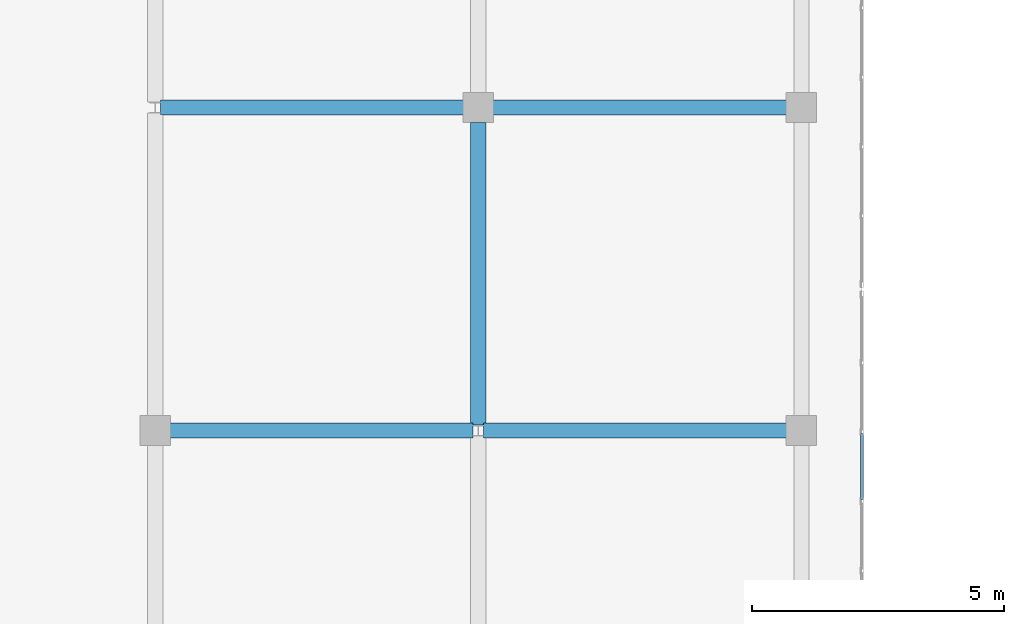
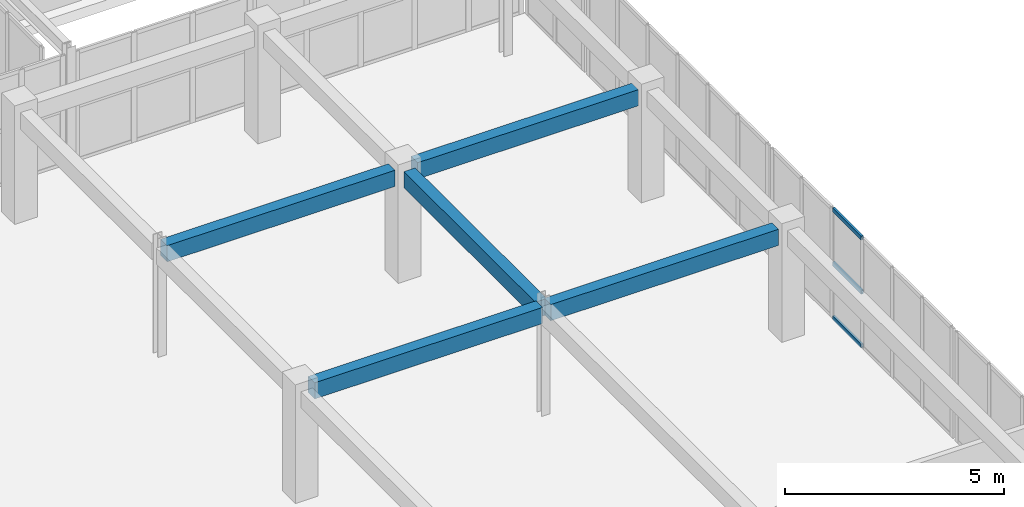
# One storey, part 112 of 200: 5 beams, 3 members, 1 element without a shape of its own.
"""IFC4 building model written with IfcOpenShell, lengths in metres."""

from ifc_helpers import new_model, si_unit, direction, frame, origin, origin_2d, place, context, subcontext, project, spatial, rectangle, hollow_rectangle, extrude, material, layer, layer_set, material_profile, profile_set, type_object, element, aggregate, save


model = new_model("IFC4")

# Units and contexts
model_context = context("Model", 3, precision=1e-05, world=origin(), true_north=direction((0.0, 1.0)))
body_context = subcontext(model_context, "Body", "Model", "MODEL_VIEW")
ifc_project = project(units=[si_unit("LENGTHUNIT", "METRE"), si_unit("AREAUNIT", "SQUARE_METRE"), si_unit("VOLUMEUNIT", "CUBIC_METRE"), si_unit("PLANEANGLEUNIT", "RADIAN"), si_unit("MASSUNIT", "GRAM", prefix="KILO")], contexts=[model_context])

# Site, building, storey
site_placement = place(None, origin())
site = spatial("IfcSite", under=ifc_project, at=site_placement, CompositionType="ELEMENT")
building_placement = place(site_placement, origin())
building = spatial("IfcBuilding", under=site, at=building_placement, Name="Trelvath General Hospital", CompositionType="ELEMENT")
storey_placement = place(building_placement, frame((0.0, 0.0, 4.800048828125)))
storey = spatial("IfcBuildingStorey", under=building, at=storey_placement, Name="L01", CompositionType="ELEMENT", Elevation=4.800048828125)

# Beams
ifc_material_1 = material(Name="Concrete C35/45", Category="concrete")
ifc_material_profile_1 = material_profile(ifc_material_1, rectangle(XDim=0.300048828125, YDim=0.449951171875, at=origin_2d()), Name="RCB300x450")
ifc_profile_set_1 = profile_set([ifc_material_profile_1], Name="Concrete C35/45")
beam_type = type_object("IfcBeamType", Name="Beam RC300x450", PredefinedType="BEAM", material=ifc_profile_set_1)
beam_1_placement = place(storey_placement, frame((107.49609375, 72.800048828125, 2.8349609375), z_axis=(1.0, 0.0, 0.0), x_axis=(0.0, 1.0, 0.0)))
element("IfcBeam", 1, at=beam_1_placement, inside=storey, type_object=beam_type, Name="Cube Interior Ring Beam CUBE-E-T0 L01", PredefinedType="BEAM", context=body_context, shape_type="SweptSolid", body=[
    extrude(rectangle(XDim=0.300048828125, YDim=0.449951171875, at=origin_2d()), origin(), (0.0, 0.0, 1.0), 5.997802734375),
])
for number, where, z_axis, x_axis, name in (
    (2, (113.7060546875, 72.800048828125, 2.8349609375), (1.0, 0.0, 0.0), (0.0, 1.0, 0.0), "Cube Interior Ring Beam CUBE-E-T0 L01"),
    (3, (107.305908203125, 79.199951171875, 2.8349609375), (1.0, 0.0, 0.0), (0.0, 1.0, 0.0), "Cube Interior Ring Beam CUBE-E-T0 L01"),
):
    element("IfcBeam", number, at=place(storey_placement, frame(where, z_axis=z_axis, x_axis=x_axis)), inside=storey, type_object=beam_type, Name=name, PredefinedType="BEAM", context=body_context, shape_type="SweptSolid", body=[
        extrude(rectangle(XDim=0.300048828125, YDim=0.449951171875, at=origin_2d()), origin(), (0.0, 0.0, 1.0), 5.998046875),
    ])
beam_2_placement = place(storey_placement, frame((113.89599609375, 79.199951171875, 2.8349609375), z_axis=(1.0, 0.0, 0.0), x_axis=(0.0, 1.0, 0.0)))
element("IfcBeam", 4, at=beam_2_placement, inside=storey, type_object=beam_type, Name="Cube Interior Ring Beam CUBE-E-T0 L01", PredefinedType="BEAM", context=body_context, shape_type="SweptSolid", body=[
    extrude(rectangle(XDim=0.300048828125, YDim=0.449951171875, at=origin_2d()), origin(), (0.0, 0.0, 1.0), 5.80810546875),
])
beam_3_placement = place(storey_placement, frame((113.60009765625, 72.906005859375, 2.8349609375), z_axis=(0.0, 1.0, 0.0), x_axis=(-1.0, 0.0, 0.0)))
element("IfcBeam", 5, at=beam_3_placement, inside=storey, type_object=beam_type, Name="Cube Interior Ring Beam CUBE-E-T0 L01", PredefinedType="BEAM", context=body_context, shape_type="SweptSolid", body=[
    extrude(rectangle(XDim=0.300048828125, YDim=0.449951171875, at=origin_2d()), origin(), (0.0, 0.0, 1.0), 5.998046875),
])

# Curtain wall, members
ifc_material_2 = material(Name="Anodised aluminium and low-E glass", Category="aluminium")
ifc_layer = layer(ifc_material_2, 0.14990234375)
ifc_layer_set = layer_set([ifc_layer], Name="Anodised aluminium and low-E glass")
curtain_wall_type = type_object("IfcCurtainWallType", Name="CW CrystalCube 824 306 15", PredefinedType="USERDEFINED", material=ifc_layer_set)
curtain_wall_placement = place(storey_placement, origin())
curtain_wall = element("IfcCurtainWall", 6, at=curtain_wall_placement, inside=storey, type_object=curtain_wall_type, Name="Crystal Cube Curtain Wall CUBE-E-T0 E5 L01", ObjectType="Unitised Glazed Curtain Wall", PredefinedType="USERDEFINED")
ifc_material_3 = material(Name="Anodised aluminium", Category="aluminium")
ifc_material_profile_2 = material_profile(ifc_material_3, hollow_rectangle(XDim=0.06005859375, YDim=0.110107421875, WallThickness=0.00390625, at=origin_2d()), Name="RHS60x110x4")
ifc_profile_set_2 = profile_set([ifc_material_profile_2], Name="Anodised aluminium")
member_type = type_object("IfcMemberType", Name="CurtainTransom 60x110", PredefinedType="USERDEFINED", material=ifc_profile_set_2)
member_1_placement = place(storey_placement, frame((121.199951171875, 72.743408203125, 0.030029296875), z_axis=(0.0, -1.0, 0.0), x_axis=(1.0, 0.0, 0.0)))
member_1 = element("IfcMember", 7, at=member_1_placement, type_object=member_type, Name="CW-166 transom 3.1", ObjectType="TRANSOM", PredefinedType="USERDEFINED", context=body_context, shape_type="SweptSolid", body=[
    extrude(hollow_rectangle(XDim=0.06005859375, YDim=0.110107421875, WallThickness=0.00390625, at=origin_2d()), origin(), (0.0, 0.0, 1.0), 1.3134765625),
])
member_2_placement = place(storey_placement, frame((121.199951171875, 72.743408203125, 1.530029296875), z_axis=(0.0, -1.0, 0.0), x_axis=(1.0, 0.0, 0.0)))
member_2 = element("IfcMember", 8, at=member_2_placement, type_object=member_type, Name="CW-166 transom 3.2", ObjectType="TRANSOM", PredefinedType="USERDEFINED", context=body_context, shape_type="SweptSolid", body=[
    extrude(hollow_rectangle(XDim=0.06005859375, YDim=0.110107421875, WallThickness=0.00390625, at=origin_2d()), origin(), (0.0, 0.0, 1.0), 1.3134765625),
])
member_3_placement = place(storey_placement, frame((121.199951171875, 72.743408203125, 3.030029296875), z_axis=(0.0, -1.0, 0.0), x_axis=(1.0, 0.0, 0.0)))
member_3 = element("IfcMember", 9, at=member_3_placement, type_object=member_type, Name="CW-166 transom 3.3", ObjectType="TRANSOM", PredefinedType="USERDEFINED", context=body_context, shape_type="SweptSolid", body=[
    extrude(hollow_rectangle(XDim=0.06005859375, YDim=0.110107421875, WallThickness=0.00390625, at=origin_2d()), origin(), (0.0, 0.0, 1.0), 1.3134765625),
])
aggregate(curtain_wall, [member_1, member_2, member_3])

save(model, "model.ifc")
